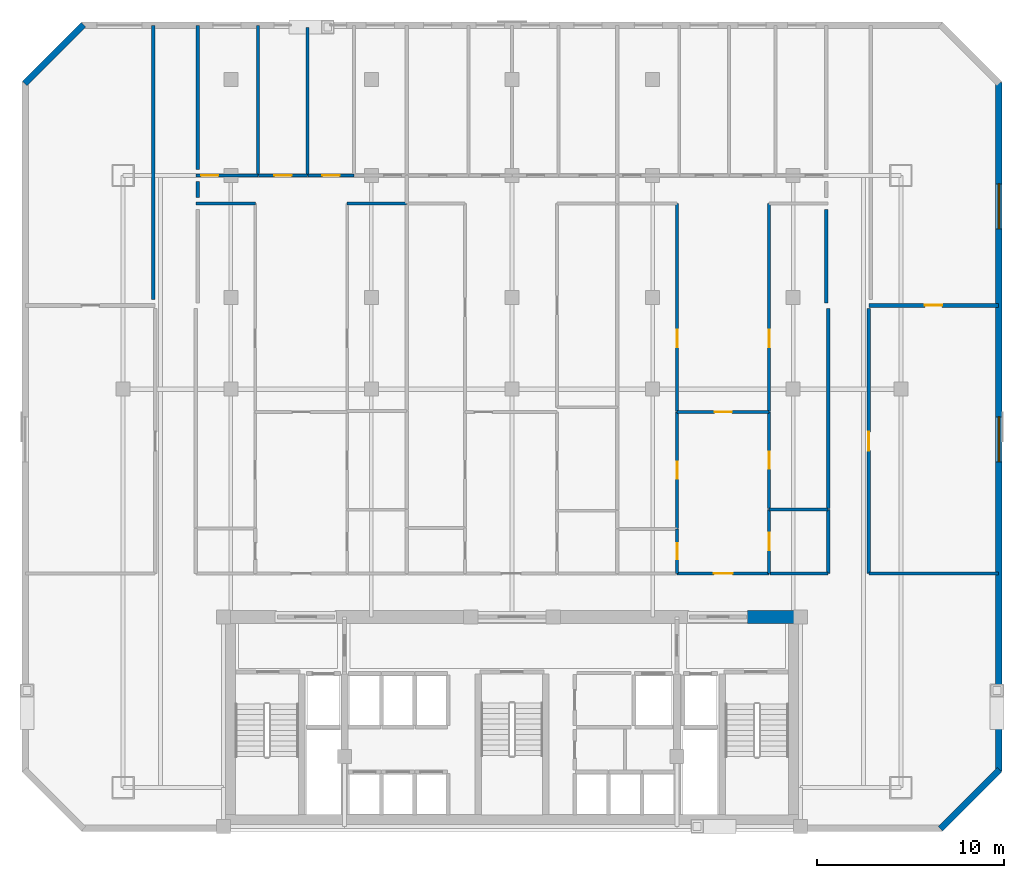
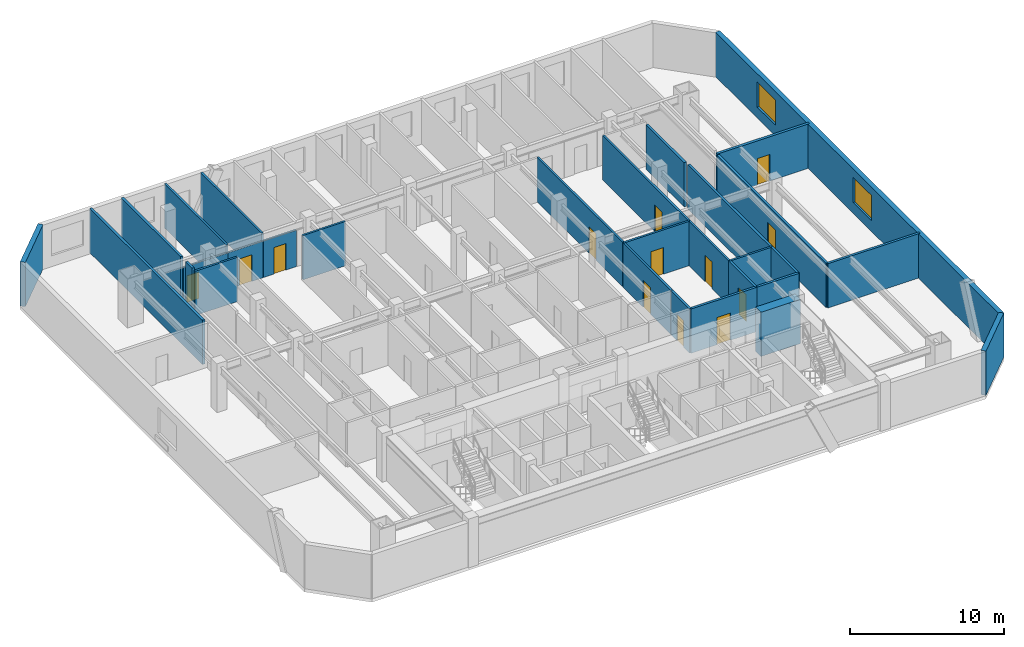
# One storey, part 5 of 8: 30 walls, 13 doors, 2 windows, 15 openings.
"""IFC4 building model written with IfcOpenShell, lengths in metres."""

from ifc_helpers import new_model, si_unit, direction, frame, frame_2d, origin, place, context, subcontext, project, spatial, rectangle, extrude, material, layer, layer_set, type_object, element, fill, save


model = new_model("IFC4")

# Units and contexts
model_context = context("Model", 3, precision=1e-05, world=origin(), true_north=direction((0.0, 1.0)))
body_context = subcontext(model_context, "Body", "Model", "MODEL_VIEW")
ifc_project = project(units=[si_unit("LENGTHUNIT", "METRE"), si_unit("AREAUNIT", "SQUARE_METRE"), si_unit("VOLUMEUNIT", "CUBIC_METRE"), si_unit("PLANEANGLEUNIT", "RADIAN"), si_unit("MASSUNIT", "GRAM", prefix="KILO")], contexts=[model_context])

# Site, building, storey
site_placement = place(None, origin())
site = spatial("IfcSite", under=ifc_project, at=site_placement, CompositionType="ELEMENT")
building_placement = place(site_placement, origin())
building = spatial("IfcBuilding", under=site, at=building_placement, Name="Ventersveld Concourse Tower", CompositionType="ELEMENT")
storey_placement = place(building_placement, frame((0.0, 0.0, 131.10009765625)))
storey = spatial("IfcBuildingStorey", under=building, at=storey_placement, Name="L32", CompositionType="ELEMENT", Elevation=131.10009765625)

# Wall
ifc_material_1 = material(Name="Concrete C60/75", Category="concrete")
ifc_layer_1 = layer(ifc_material_1, 0.699951171875)
ifc_layer_set_1 = layer_set([ifc_layer_1], Name="Concrete C60/75")
wall_type_1 = type_object("IfcWallType", Name="WL-CORE-700", PredefinedType="SHEAR", material=ifc_layer_set_1)
wall_1_placement = place(storey_placement, frame((41.300048828125, 11.449951171875, 0.0), z_axis=(0.0, 0.0, 1.0), x_axis=(1.0, 0.0, 0.0)))
element("IfcWall", 1, at=wall_1_placement, inside=storey, type_object=wall_type_1, Name="L32 Rear Core North Shear Wall NE", PredefinedType="SHEAR", context=body_context, shape_type="SweptSolid", body=[
    extrude(rectangle(XDim=2.949951171875, YDim=0.699951171875, at=frame_2d((1.47509765625, 0.0))), origin(), (0.0, 0.0, 1.0), 3.5),
])

# Wall, opening, door
ifc_material_2 = material(Name="Fire-rated autoclaved aerated masonry blockwork", Category="masonry")
ifc_layer_2 = layer(ifc_material_2, 0.179931640625)
ifc_layer_set_2 = layer_set([ifc_layer_2], Name="Fire-rated autoclaved aerated masonry blockwork")
wall_type_2 = type_object("IfcWallType", Name="WL-CORR-180", PredefinedType="PARTITIONING", material=ifc_layer_set_2)
wall_2_placement = place(storey_placement, frame((47.7900390625, 13.764892578125, 0.0), z_axis=(0.0, 0.0, 1.0), x_axis=(0.0, 1.0, 0.0)))
wall_2 = element("IfcWall", 2, at=wall_2_placement, inside=storey, type_object=wall_type_2, Name="L32 Interior Partition SP-L32-COR-SP-L32-NELNG1", PredefinedType="PARTITIONING", context=body_context, shape_type="SweptSolid", body=[
    extrude(rectangle(XDim=14.130126953125, YDim=0.179931640625, at=frame_2d((7.06494140625, 0.0))), origin(), (0.0, 0.0, 1.0), 3.5),
])
opening_1_placement = place(wall_2_placement, frame((6.56494140625, 0.0, 0.0)))
opening_1 = element("IfcOpeningElement", 3, at=opening_1_placement, cuts=wall_2, Name="Opening FD3", PredefinedType="OPENING", context=body_context, shape_type="SweptSolid", body=[
    extrude(rectangle(XDim=1.0, YDim=2.14990234375, at=frame_2d((0.5, 1.074951171875))), frame((0.0, 0.10009765625, 0.0), z_axis=(0.0, -1.0, 0.0), x_axis=(1.0, 0.0, 0.0)), (0.0, 0.0, 1.0), 0.199951171875),
])
ifc_material_3 = material(Name="Solid-core hardwood veneer timber", Category="wood")
door_type_1 = type_object("IfcDoorType", Name="DR-FLAT-100", OperationType="NOTDEFINED", PredefinedType="DOOR", material=ifc_material_3)
door_1_placement = place(opening_1_placement, origin())
door_1 = element("IfcDoor", 4, at=door_1_placement, inside=storey, type_object=door_type_1, Name="L32 Interior Door SP-L32-COR to SP-L32-NELNG1 (D-L32-1595)", OperationType="SINGLE_SWING_LEFT", OverallHeight=2.14990234375, OverallWidth=1.0, PredefinedType="DOOR", context=body_context, shape_type="SweptSolid", body=[
    extrude(rectangle(XDim=1.0, YDim=2.14990234375, at=frame_2d((0.5, 1.074951171875))), frame((0.0, 0.02490234375, 0.0), z_axis=(0.0, -1.0, 0.0), x_axis=(1.0, 0.0, 0.0)), (0.0, 0.0, 1.0), 0.050048828125),
])
fill(opening_1, door_1)

# Wall
wall_3_placement = place(storey_placement, frame((47.784912109375, 13.77001953125, 0.0), z_axis=(0.0, 0.0, 1.0), x_axis=(1.0, 0.0, 0.0)))
element("IfcWall", 5, at=wall_3_placement, inside=storey, type_object=wall_type_2, Name="L32 Interior Partition SP-L32-COR-SP-L32-NELNG1", PredefinedType="PARTITIONING", context=body_context, shape_type="SweptSolid", body=[
    extrude(rectangle(XDim=6.905029296875, YDim=0.179931640625, at=frame_2d((3.45263671875, 0.0))), origin(), (0.0, 0.0, 1.0), 3.5),
])

# Wall, opening, door
wall_4_placement = place(storey_placement, frame((37.55419921875, 13.77001953125, 0.0), z_axis=(0.0, 0.0, 1.0), x_axis=(1.0, 0.0, 0.0)))
wall_4 = element("IfcWall", 6, at=wall_4_placement, inside=storey, type_object=wall_type_2, Name="L32 Interior Partition SP-L32-COR-SP-L32-32N3-FOY", PredefinedType="PARTITIONING", context=body_context, shape_type="SweptSolid", body=[
    extrude(rectangle(XDim=4.91748046875, YDim=0.179931640625, at=frame_2d((2.458740234375, 0.0))), origin(), (0.0, 0.0, 1.0), 3.5),
])
opening_2_placement = place(wall_4_placement, frame((1.958740234375, 0.0, 0.0)))
opening_2 = element("IfcOpeningElement", 7, at=opening_2_placement, cuts=wall_4, Name="Opening FD3", PredefinedType="OPENING", context=body_context, shape_type="SweptSolid", body=[
    extrude(rectangle(XDim=1.0, YDim=2.14990234375, at=frame_2d((0.5, 1.074951171875))), frame((0.0, 0.10009765625, 0.0), z_axis=(0.0, -1.0, 0.0), x_axis=(1.0, 0.0, 0.0)), (0.0, 0.0, 1.0), 0.199951171875),
])
door_2_placement = place(opening_2_placement, origin())
door_2 = element("IfcDoor", 8, at=door_2_placement, inside=storey, type_object=door_type_1, Name="L32 Interior Door SP-L32-COR to SP-L32-32N3-FOY (FD-L32-1598)", OperationType="SINGLE_SWING_RIGHT", OverallHeight=2.14990234375, OverallWidth=1.0, PredefinedType="DOOR", context=body_context, shape_type="SweptSolid", body=[
    extrude(rectangle(XDim=1.0, YDim=2.14990234375, at=frame_2d((0.5, 1.074951171875))), frame((0.0, 0.02490234375, 0.0), z_axis=(0.0, -1.0, 0.0), x_axis=(1.0, 0.0, 0.0)), (0.0, 0.0, 1.0), 0.050048828125),
])
fill(opening_2, door_2)

# Walls
wall_5_placement = place(storey_placement, frame((45.610107421875, 13.764892578125, 0.0), z_axis=(0.0, 0.0, 1.0), x_axis=(0.0, 1.0, 0.0)))
element("IfcWall", 9, at=wall_5_placement, inside=storey, type_object=wall_type_2, Name="L32 Interior Partition SP-L32-COR-SP-L32-32N3-KIT", PredefinedType="PARTITIONING", context=body_context, shape_type="SweptSolid", body=[
    extrude(rectangle(XDim=3.4296875, YDim=0.179931640625, at=frame_2d((1.71484375, 0.0))), origin(), (0.0, 0.0, 1.0), 3.5),
])
wall_6_placement = place(storey_placement, frame((42.501708984375, 13.77001953125, 0.0), z_axis=(0.0, 0.0, 1.0), x_axis=(1.0, 0.0, 0.0)))
element("IfcWall", 10, at=wall_6_placement, inside=storey, type_object=wall_type_2, Name="L32 Interior Partition SP-L32-COR-SP-L32-32N3-KIT", PredefinedType="PARTITIONING", context=body_context, shape_type="SweptSolid", body=[
    extrude(rectangle(XDim=3.11328125, YDim=0.179931640625, at=frame_2d((1.556640625, 0.0))), origin(), (0.0, 0.0, 1.0), 3.5),
])
wall_7_placement = place(storey_placement, frame((45.610107421875, 17.224609375, 0.0), z_axis=(0.0, 0.0, 1.0), x_axis=(0.0, 1.0, 0.0)))
element("IfcWall", 11, at=wall_7_placement, inside=storey, type_object=wall_type_2, Name="L32 Interior Partition SP-L32-COR-SP-L32-32N3-DENR", PredefinedType="PARTITIONING", context=body_context, shape_type="SweptSolid", body=[
    extrude(rectangle(XDim=10.67041015625, YDim=0.179931640625, at=frame_2d((5.335205078125, 0.0))), origin(), (0.0, 0.0, 1.0), 3.5),
])
wall_8_placement = place(storey_placement, frame((9.6201171875, 42.989990234375, 0.0), z_axis=(0.0, 0.0, 1.0), x_axis=(0.0, -1.0, 0.0)))
element("IfcWall", 12, at=wall_8_placement, inside=storey, type_object=wall_type_2, Name="L32 Room Enclosure Wall SP-L32-NWLNG2", PredefinedType="PARTITIONING", context=body_context, shape_type="SweptSolid", body=[
    extrude(rectangle(XDim=14.594970703125, YDim=0.179931640625, at=frame_2d((7.29736328125, 0.0))), origin(), (0.0, 0.0, 1.0), 3.5),
])
wall_9_placement = place(storey_placement, frame((11.97998046875, 33.824951171875, 0.0), z_axis=(0.0, 0.0, 1.0), x_axis=(0.0, 1.0, 0.0)))
element("IfcWall", 13, at=wall_9_placement, inside=storey, type_object=wall_type_2, Name="L32 Room Enclosure Wall SP-L32-32N1-LIV", PredefinedType="PARTITIONING", context=body_context, shape_type="SweptSolid", body=[
    extrude(rectangle(XDim=0.85009765625, YDim=0.179931640625, at=frame_2d((0.425048828125, 0.0))), origin(), (0.0, 0.0, 1.0), 3.5),
])
wall_10_placement = place(storey_placement, frame((11.97998046875, 35.324951171875, 0.0), z_axis=(0.0, 0.0, 1.0), x_axis=(0.0, 1.0, 0.0)))
element("IfcWall", 14, at=wall_10_placement, inside=storey, type_object=wall_type_2, Name="L32 Room Enclosure Wall SP-L32-32N1-BR1", PredefinedType="PARTITIONING", context=body_context, shape_type="SweptSolid", body=[
    extrude(rectangle(XDim=7.6650390625, YDim=0.179931640625, at=frame_2d((3.83251953125, 0.0))), origin(), (0.0, 0.0, 1.0), 3.5),
])
wall_11_placement = place(storey_placement, frame((45.52001953125, 33.175048828125, 0.0), z_axis=(0.0, 0.0, 1.0), x_axis=(0.0, -1.0, 0.0)))
element("IfcWall", 15, at=wall_11_placement, inside=storey, type_object=wall_type_2, Name="L32 Room Enclosure Wall SP-L32-32N3-DENR", PredefinedType="PARTITIONING", context=body_context, shape_type="SweptSolid", body=[
    extrude(rectangle(XDim=4.965087890625, YDim=0.179931640625, at=frame_2d((2.482421875, 0.0))), origin(), (0.0, 0.0, 1.0), 3.5),
])

# Wall, opening, door
ifc_layer_3 = layer(ifc_material_2, 0.199951171875)
ifc_layer_set_3 = layer_set([ifc_layer_3], Name="Fire-rated autoclaved aerated masonry blockwork")
wall_type_3 = type_object("IfcWallType", Name="WL-DEMISE-200", PredefinedType="PARTITIONING", material=ifc_layer_set_3)
wall_12_placement = place(storey_placement, frame((47.784912109375, 28.070068359375, 0.0), z_axis=(0.0, 0.0, 1.0), x_axis=(1.0, 0.0, 0.0)))
wall_12 = element("IfcWall", 16, at=wall_12_placement, inside=storey, type_object=wall_type_3, Name="L32 Interior Partition SP-L32-NELNG1-SP-L32-NELNG2", PredefinedType="PARTITIONING", context=body_context, shape_type="SweptSolid", body=[
    extrude(rectangle(XDim=6.905029296875, YDim=0.199951171875, at=frame_2d((3.45263671875, 0.0))), origin(), (0.0, 0.0, 1.0), 3.5),
])
opening_3_placement = place(wall_12_placement, frame((2.992431640625, 0.0, 0.0)))
opening_3 = element("IfcOpeningElement", 17, at=opening_3_placement, cuts=wall_12, Name="Opening ID1", PredefinedType="OPENING", context=body_context, shape_type="SweptSolid", body=[
    extrude(rectangle(XDim=0.919921875, YDim=2.10009765625, at=frame_2d((0.4599609375, 1.050048828125))), frame((0.0, 0.10986328125, 0.0), z_axis=(0.0, -1.0, 0.0), x_axis=(1.0, 0.0, 0.0)), (0.0, 0.0, 1.0), 0.219970703125),
])
door_type_2 = type_object("IfcDoorType", Name="DR-ROOM-092", OperationType="NOTDEFINED", PredefinedType="DOOR", material=ifc_material_3)
door_3_placement = place(opening_3_placement, origin())
door_3 = element("IfcDoor", 18, at=door_3_placement, inside=storey, type_object=door_type_2, Name="L32 Interior Door SP-L32-NELNG1 to SP-L32-NELNG2 (D-L32-1600)", OperationType="SINGLE_SWING_RIGHT", OverallHeight=2.10009765625, OverallWidth=0.919921875, PredefinedType="DOOR", context=body_context, shape_type="SweptSolid", body=[
    extrude(rectangle(XDim=0.919921875, YDim=2.10009765625, at=frame_2d((0.4599609375, 1.050048828125))), frame((0.0, 0.02490234375, 0.0), z_axis=(0.0, -1.0, 0.0), x_axis=(1.0, 0.0, 0.0)), (0.0, 0.0, 1.0), 0.050048828125),
])
fill(opening_3, door_3)

# Walls
ifc_material_4 = material(Name="Autoclaved aerated masonry blockwork", Category="masonry")
ifc_layer_4 = layer(ifc_material_4, 0.14990234375)
ifc_layer_set_4 = layer_set([ifc_layer_4], Name="Autoclaved aerated masonry blockwork")
wall_type_4 = type_object("IfcWallType", Name="WL-INT-150", PredefinedType="PARTITIONING", material=ifc_layer_set_4)
for number, where, z_axis, x_axis, name in (
    (19, (11.885009765625, 33.5, 0.0), (0.0, 0.0, 1.0), (1.0, 0.0, 0.0), "L32 Interior Partition SP-L32-32N1-LIV-SP-L32-32N1-OFFL0"),
    (20, (19.958740234375, 33.5, 0.0), (0.0, 0.0, 1.0), (1.0, 0.0, 0.0), "L32 Interior Partition SP-L32-32N1-LIV-SP-L32-32N1-DENS"),
):
    element("IfcWall", number, at=place(storey_placement, frame(where, z_axis=z_axis, x_axis=x_axis)), inside=storey, type_object=wall_type_4, Name=name, PredefinedType="PARTITIONING", context=body_context, shape_type="SweptSolid", body=[
        extrude(rectangle(XDim=3.17626953125, YDim=0.14990234375, at=frame_2d((1.588134765625, 0.0))), origin(), (0.0, 0.0, 1.0), 3.5),
    ])

# Wall, opening, door
wall_13_placement = place(storey_placement, frame((11.885009765625, 35.0, 0.0), z_axis=(0.0, 0.0, 1.0), x_axis=(1.0, 0.0, 0.0)))
wall_13 = element("IfcWall", 21, at=wall_13_placement, inside=storey, type_object=wall_type_4, Name="L32 Interior Partition SP-L32-32N1-LIV-SP-L32-32N1-BR1", PredefinedType="PARTITIONING", context=body_context, shape_type="SweptSolid", body=[
    extrude(rectangle(XDim=3.31298828125, YDim=0.14990234375, at=frame_2d((1.656494140625, 0.0))), origin(), (0.0, 0.0, 1.0), 2.8828125),
])
opening_4_placement = place(wall_13_placement, frame((0.280029296875, 0.0, 0.0)))
opening_4 = element("IfcOpeningElement", 22, at=opening_4_placement, cuts=wall_13, Name="Opening ID1", PredefinedType="OPENING", context=body_context, shape_type="SweptSolid", body=[
    extrude(rectangle(XDim=0.919921875, YDim=2.10009765625, at=frame_2d((0.4599609375, 1.050048828125))), frame((0.0, 0.0849609375, 0.0), z_axis=(0.0, -1.0, 0.0), x_axis=(1.0, 0.0, 0.0)), (0.0, 0.0, 1.0), 0.169921875),
])
door_4_placement = place(opening_4_placement, origin())
door_4 = element("IfcDoor", 23, at=door_4_placement, inside=storey, type_object=door_type_2, Name="L32 Interior Door SP-L32-32N1-LIV to SP-L32-32N1-BR1 (D-L32-1608)", OperationType="SINGLE_SWING_RIGHT", OverallHeight=2.10009765625, OverallWidth=0.919921875, PredefinedType="DOOR", context=body_context, shape_type="SweptSolid", body=[
    extrude(rectangle(XDim=0.919921875, YDim=2.10009765625, at=frame_2d((0.4599609375, 1.050048828125))), frame((0.0, 0.02490234375, 0.0), z_axis=(0.0, -1.0, 0.0), x_axis=(1.0, 0.0, 0.0)), (0.0, 0.0, 1.0), 0.050048828125),
])
fill(opening_4, door_4)

wall_14_placement = place(storey_placement, frame((15.22802734375, 35.0, 0.0), z_axis=(0.0, 0.0, 1.0), x_axis=(1.0, 0.0, 0.0)))
wall_14 = element("IfcWall", 24, at=wall_14_placement, inside=storey, type_object=wall_type_4, Name="L32 Interior Partition SP-L32-32N1-LIV-SP-L32-32N1-BR2", PredefinedType="PARTITIONING", context=body_context, shape_type="SweptSolid", body=[
    extrude(rectangle(XDim=2.61572265625, YDim=0.14990234375, at=frame_2d((1.307861328125, 0.0))), origin(), (0.0, 0.0, 1.0), 2.8828125),
])
opening_5_placement = place(wall_14_placement, frame((0.847900390625, 0.0, 0.0)))
opening_5 = element("IfcOpeningElement", 25, at=opening_5_placement, cuts=wall_14, Name="Opening ID1", PredefinedType="OPENING", context=body_context, shape_type="SweptSolid", body=[
    extrude(rectangle(XDim=0.919921875, YDim=2.10009765625, at=frame_2d((0.4599609375, 1.050048828125))), frame((0.0, 0.0849609375, 0.0), z_axis=(0.0, -1.0, 0.0), x_axis=(1.0, 0.0, 0.0)), (0.0, 0.0, 1.0), 0.169921875),
])
door_5_placement = place(opening_5_placement, origin())
door_5 = element("IfcDoor", 26, at=door_5_placement, inside=storey, type_object=door_type_2, Name="L32 Interior Door SP-L32-32N1-LIV to SP-L32-32N1-BR2 (D-L32-1609)", OperationType="SINGLE_SWING_LEFT", OverallHeight=2.10009765625, OverallWidth=0.919921875, PredefinedType="DOOR", context=body_context, shape_type="SweptSolid", body=[
    extrude(rectangle(XDim=0.919921875, YDim=2.10009765625, at=frame_2d((0.4599609375, 1.050048828125))), frame((0.0, 0.02490234375, 0.0), z_axis=(0.0, -1.0, 0.0), x_axis=(1.0, 0.0, 0.0)), (0.0, 0.0, 1.0), 0.050048828125),
])
fill(opening_5, door_5)

wall_15_placement = place(storey_placement, frame((17.873779296875, 35.0, 0.0), z_axis=(0.0, 0.0, 1.0), x_axis=(1.0, 0.0, 0.0)))
wall_15 = element("IfcWall", 27, at=wall_15_placement, inside=storey, type_object=wall_type_4, Name="L32 Interior Partition SP-L32-32N1-LIV-SP-L32-32N1-BR3", PredefinedType="PARTITIONING", context=body_context, shape_type="SweptSolid", body=[
    extrude(rectangle(XDim=2.451171875, YDim=0.14990234375, at=frame_2d((1.2255859375, 0.0))), origin(), (0.0, 0.0, 1.0), 2.8828125),
])
opening_6_placement = place(wall_15_placement, frame((0.765625, 0.0, 0.0)))
opening_6 = element("IfcOpeningElement", 28, at=opening_6_placement, cuts=wall_15, Name="Opening ID1", PredefinedType="OPENING", context=body_context, shape_type="SweptSolid", body=[
    extrude(rectangle(XDim=0.919921875, YDim=2.10009765625, at=frame_2d((0.4599609375, 1.050048828125))), frame((0.0, 0.0849609375, 0.0), z_axis=(0.0, -1.0, 0.0), x_axis=(1.0, 0.0, 0.0)), (0.0, 0.0, 1.0), 0.169921875),
])
door_6_placement = place(opening_6_placement, origin())
door_6 = element("IfcDoor", 29, at=door_6_placement, inside=storey, type_object=door_type_2, Name="L32 Interior Door SP-L32-32N1-LIV to SP-L32-32N1-BR3 (D-L32-1610)", OperationType="SINGLE_SWING_RIGHT", OverallHeight=2.10009765625, OverallWidth=0.919921875, PredefinedType="DOOR", context=body_context, shape_type="SweptSolid", body=[
    extrude(rectangle(XDim=0.919921875, YDim=2.10009765625, at=frame_2d((0.4599609375, 1.050048828125))), frame((0.0, 0.02490234375, 0.0), z_axis=(0.0, -1.0, 0.0), x_axis=(1.0, 0.0, 0.0)), (0.0, 0.0, 1.0), 0.050048828125),
])
fill(opening_6, door_6)

# Walls
wall_16_placement = place(storey_placement, frame((15.193115234375, 34.9951171875, 0.0), z_axis=(0.0, 0.0, 1.0), x_axis=(0.0, 1.0, 0.0)))
element("IfcWall", 30, at=wall_16_placement, inside=storey, type_object=wall_type_4, Name="L32 Interior Partition SP-L32-32N1-BR1-SP-L32-32N1-BR2", PredefinedType="PARTITIONING", context=body_context, shape_type="SweptSolid", body=[
    extrude(rectangle(XDim=7.994873046875, YDim=0.14990234375, at=frame_2d((3.99755859375, 0.0))), origin(), (0.0, 0.0, 1.0), 3.5),
])
wall_17_placement = place(storey_placement, frame((17.838623046875, 34.9951171875, 0.0), z_axis=(0.0, 0.0, 1.0), x_axis=(0.0, 1.0, 0.0)))
element("IfcWall", 31, at=wall_17_placement, inside=storey, type_object=wall_type_4, Name="L32 Interior Partition SP-L32-32N1-BR2-SP-L32-32N1-BR3", PredefinedType="PARTITIONING", context=body_context, shape_type="SweptSolid", body=[
    extrude(rectangle(XDim=7.906982421875, YDim=0.14990234375, at=frame_2d((3.95361328125, 0.0))), origin(), (0.0, 0.0, 1.0), 3.5),
])

# Wall, opening, door
wall_18_placement = place(storey_placement, frame((37.55419921875, 22.384521484375, 0.0), z_axis=(0.0, 0.0, 1.0), x_axis=(1.0, 0.0, 0.0)))
wall_18 = element("IfcWall", 32, at=wall_18_placement, inside=storey, type_object=wall_type_4, Name="L32 Interior Partition SP-L32-32N3-FOY-SP-L32-32N3-LIV", PredefinedType="PARTITIONING", context=body_context, shape_type="SweptSolid", body=[
    extrude(rectangle(XDim=4.91748046875, YDim=0.14990234375, at=frame_2d((2.458740234375, 0.0))), origin(), (0.0, 0.0, 1.0), 3.5),
])
opening_7_placement = place(wall_18_placement, frame((1.998779296875, 0.0, 0.0)))
opening_7 = element("IfcOpeningElement", 33, at=opening_7_placement, cuts=wall_18, Name="Opening ID1", PredefinedType="OPENING", context=body_context, shape_type="SweptSolid", body=[
    extrude(rectangle(XDim=0.919921875, YDim=2.10009765625, at=frame_2d((0.4599609375, 1.050048828125))), frame((0.0, 0.0849609375, 0.0), z_axis=(0.0, -1.0, 0.0), x_axis=(1.0, 0.0, 0.0)), (0.0, 0.0, 1.0), 0.169921875),
])
door_7_placement = place(opening_7_placement, origin())
door_7 = element("IfcDoor", 34, at=door_7_placement, inside=storey, type_object=door_type_2, Name="L32 Interior Door SP-L32-32N3-FOY to SP-L32-32N3-LIV (D-L32-1623)", OperationType="SINGLE_SWING_LEFT", OverallHeight=2.10009765625, OverallWidth=0.919921875, PredefinedType="DOOR", context=body_context, shape_type="SweptSolid", body=[
    extrude(rectangle(XDim=0.919921875, YDim=2.10009765625, at=frame_2d((0.4599609375, 1.050048828125))), frame((0.0, 0.02490234375, 0.0), z_axis=(0.0, -1.0, 0.0), x_axis=(1.0, 0.0, 0.0)), (0.0, 0.0, 1.0), 0.050048828125),
])
fill(opening_7, door_7)

wall_19_placement = place(storey_placement, frame((37.55908203125, 16.17822265625, 0.0), z_axis=(0.0, 0.0, 1.0), x_axis=(0.0, 1.0, 0.0)))
wall_19 = element("IfcWall", 35, at=wall_19_placement, inside=storey, type_object=wall_type_4, Name="L32 Interior Partition SP-L32-32N3-FOY-SP-L32-32N3-OFFL0", PredefinedType="PARTITIONING", context=body_context, shape_type="SweptSolid", body=[
    extrude(rectangle(XDim=6.211181640625, YDim=0.14990234375, at=frame_2d((3.10546875, 0.0))), origin(), (0.0, 0.0, 1.0), 3.5),
])
opening_8_placement = place(wall_19_placement, frame((2.6455078125, 0.0, 0.0)))
opening_8 = element("IfcOpeningElement", 36, at=opening_8_placement, cuts=wall_19, Name="Opening ID1", PredefinedType="OPENING", context=body_context, shape_type="SweptSolid", body=[
    extrude(rectangle(XDim=0.919921875, YDim=2.10009765625, at=frame_2d((0.4599609375, 1.050048828125))), frame((0.0, 0.0849609375, 0.0), z_axis=(0.0, -1.0, 0.0), x_axis=(1.0, 0.0, 0.0)), (0.0, 0.0, 1.0), 0.169921875),
])
door_8_placement = place(opening_8_placement, origin())
door_8 = element("IfcDoor", 37, at=door_8_placement, inside=storey, type_object=door_type_2, Name="L32 Interior Door SP-L32-32N3-FOY to SP-L32-32N3-OFFL0 (D-L32-1625)", OperationType="SINGLE_SWING_LEFT", OverallHeight=2.10009765625, OverallWidth=0.919921875, PredefinedType="DOOR", context=body_context, shape_type="SweptSolid", body=[
    extrude(rectangle(XDim=0.919921875, YDim=2.10009765625, at=frame_2d((0.4599609375, 1.050048828125))), frame((0.0, 0.02490234375, 0.0), z_axis=(0.0, -1.0, 0.0), x_axis=(1.0, 0.0, 0.0)), (0.0, 0.0, 1.0), 0.050048828125),
])
fill(opening_8, door_8)

wall_20_placement = place(storey_placement, frame((42.466796875, 13.764892578125, 0.0), z_axis=(0.0, 0.0, 1.0), x_axis=(0.0, 1.0, 0.0)))
wall_20 = element("IfcWall", 38, at=wall_20_placement, inside=storey, type_object=wall_type_4, Name="L32 Interior Partition SP-L32-32N3-FOY-SP-L32-32N3-KIT", PredefinedType="PARTITIONING", context=body_context, shape_type="SweptSolid", body=[
    extrude(rectangle(XDim=3.4296875, YDim=0.14990234375, at=frame_2d((1.71484375, 0.0))), origin(), (0.0, 0.0, 1.0), 3.5),
])
opening_9_placement = place(wall_20_placement, frame((1.2548828125, 0.0, 0.0)))
opening_9 = element("IfcOpeningElement", 39, at=opening_9_placement, cuts=wall_20, Name="Opening ID1", PredefinedType="OPENING", context=body_context, shape_type="SweptSolid", body=[
    extrude(rectangle(XDim=0.919921875, YDim=2.10009765625, at=frame_2d((0.4599609375, 1.050048828125))), frame((0.0, 0.0849609375, 0.0), z_axis=(0.0, -1.0, 0.0), x_axis=(1.0, 0.0, 0.0)), (0.0, 0.0, 1.0), 0.169921875),
])
door_9_placement = place(opening_9_placement, origin())
door_9 = element("IfcDoor", 40, at=door_9_placement, inside=storey, type_object=door_type_2, Name="L32 Interior Door SP-L32-32N3-FOY to SP-L32-32N3-KIT (D-L32-1626)", OperationType="SINGLE_SWING_RIGHT", OverallHeight=2.10009765625, OverallWidth=0.919921875, PredefinedType="DOOR", context=body_context, shape_type="SweptSolid", body=[
    extrude(rectangle(XDim=0.919921875, YDim=2.10009765625, at=frame_2d((0.4599609375, 1.050048828125))), frame((0.0, 0.02490234375, 0.0), z_axis=(0.0, -1.0, 0.0), x_axis=(1.0, 0.0, 0.0)), (0.0, 0.0, 1.0), 0.050048828125),
])
fill(opening_9, door_9)

wall_21_placement = place(storey_placement, frame((42.466796875, 17.224609375, 0.0), z_axis=(0.0, 0.0, 1.0), x_axis=(0.0, 1.0, 0.0)))
wall_21 = element("IfcWall", 41, at=wall_21_placement, inside=storey, type_object=wall_type_4, Name="L32 Interior Partition SP-L32-32N3-FOY-SP-L32-32N3-DENR", PredefinedType="PARTITIONING", context=body_context, shape_type="SweptSolid", body=[
    extrude(rectangle(XDim=5.164794921875, YDim=0.14990234375, at=frame_2d((2.58251953125, 0.0))), origin(), (0.0, 0.0, 1.0), 3.5),
])
opening_10_placement = place(wall_21_placement, frame((2.122314453125, 0.0, 0.0)))
opening_10 = element("IfcOpeningElement", 42, at=opening_10_placement, cuts=wall_21, Name="Opening ID1", PredefinedType="OPENING", context=body_context, shape_type="SweptSolid", body=[
    extrude(rectangle(XDim=0.919921875, YDim=2.10009765625, at=frame_2d((0.4599609375, 1.050048828125))), frame((0.0, 0.0849609375, 0.0), z_axis=(0.0, -1.0, 0.0), x_axis=(1.0, 0.0, 0.0)), (0.0, 0.0, 1.0), 0.169921875),
])
door_10_placement = place(opening_10_placement, origin())
door_10 = element("IfcDoor", 43, at=door_10_placement, inside=storey, type_object=door_type_2, Name="L32 Interior Door SP-L32-32N3-FOY to SP-L32-32N3-DENR (D-L32-1627)", OperationType="SINGLE_SWING_LEFT", OverallHeight=2.10009765625, OverallWidth=0.919921875, PredefinedType="DOOR", context=body_context, shape_type="SweptSolid", body=[
    extrude(rectangle(XDim=0.919921875, YDim=2.10009765625, at=frame_2d((0.4599609375, 1.050048828125))), frame((0.0, 0.02490234375, 0.0), z_axis=(0.0, -1.0, 0.0), x_axis=(1.0, 0.0, 0.0)), (0.0, 0.0, 1.0), 0.050048828125),
])
fill(opening_10, door_10)

wall_22_placement = place(storey_placement, frame((37.55908203125, 22.41943359375, 0.0), z_axis=(0.0, 0.0, 1.0), x_axis=(0.0, 1.0, 0.0)))
wall_22 = element("IfcWall", 44, at=wall_22_placement, inside=storey, type_object=wall_type_4, Name="L32 Interior Partition SP-L32-32N3-LIV-SP-L32-32N3-OFFL0", PredefinedType="PARTITIONING", context=body_context, shape_type="SweptSolid", body=[
    extrude(rectangle(XDim=11.08544921875, YDim=0.14990234375, at=frame_2d((5.542724609375, 0.0))), origin(), (0.0, 0.0, 1.0), 3.5),
])
opening_11_placement = place(wall_22_placement, frame((3.419921875, 0.0, 0.0)))
opening_11 = element("IfcOpeningElement", 45, at=opening_11_placement, cuts=wall_22, Name="Opening ID1", PredefinedType="OPENING", context=body_context, shape_type="SweptSolid", body=[
    extrude(rectangle(XDim=0.919921875, YDim=2.10009765625, at=frame_2d((0.4599609375, 1.050048828125))), frame((0.0, 0.0849609375, 0.0), z_axis=(0.0, -1.0, 0.0), x_axis=(1.0, 0.0, 0.0)), (0.0, 0.0, 1.0), 0.169921875),
])
door_11_placement = place(opening_11_placement, origin())
door_11 = element("IfcDoor", 46, at=door_11_placement, inside=storey, type_object=door_type_2, Name="L32 Interior Door SP-L32-32N3-LIV to SP-L32-32N3-OFFL0 (D-L32-1628)", OperationType="SINGLE_SWING_RIGHT", OverallHeight=2.10009765625, OverallWidth=0.919921875, PredefinedType="DOOR", context=body_context, shape_type="SweptSolid", body=[
    extrude(rectangle(XDim=0.919921875, YDim=2.10009765625, at=frame_2d((0.4599609375, 1.050048828125))), frame((0.0, 0.02490234375, 0.0), z_axis=(0.0, -1.0, 0.0), x_axis=(1.0, 0.0, 0.0)), (0.0, 0.0, 1.0), 0.050048828125),
])
fill(opening_11, door_11)

wall_23_placement = place(storey_placement, frame((42.466796875, 22.41943359375, 0.0), z_axis=(0.0, 0.0, 1.0), x_axis=(0.0, 1.0, 0.0)))
wall_23 = element("IfcWall", 47, at=wall_23_placement, inside=storey, type_object=wall_type_4, Name="L32 Interior Partition SP-L32-32N3-LIV-SP-L32-32N3-DENR", PredefinedType="PARTITIONING", context=body_context, shape_type="SweptSolid", body=[
    extrude(rectangle(XDim=11.08544921875, YDim=0.14990234375, at=frame_2d((5.542724609375, 0.0))), origin(), (0.0, 0.0, 1.0), 3.5),
])
opening_12_placement = place(wall_23_placement, frame((3.419921875, 0.0, 0.0)))
opening_12 = element("IfcOpeningElement", 48, at=opening_12_placement, cuts=wall_23, Name="Opening ID1", PredefinedType="OPENING", context=body_context, shape_type="SweptSolid", body=[
    extrude(rectangle(XDim=0.919921875, YDim=2.10009765625, at=frame_2d((0.4599609375, 1.050048828125))), frame((0.0, 0.0849609375, 0.0), z_axis=(0.0, -1.0, 0.0), x_axis=(1.0, 0.0, 0.0)), (0.0, 0.0, 1.0), 0.169921875),
])
door_12_placement = place(opening_12_placement, origin())
door_12 = element("IfcDoor", 49, at=door_12_placement, inside=storey, type_object=door_type_2, Name="L32 Interior Door SP-L32-32N3-LIV to SP-L32-32N3-DENR (D-L32-1629)", OperationType="SINGLE_SWING_LEFT", OverallHeight=2.10009765625, OverallWidth=0.919921875, PredefinedType="DOOR", context=body_context, shape_type="SweptSolid", body=[
    extrude(rectangle(XDim=0.919921875, YDim=2.10009765625, at=frame_2d((0.4599609375, 1.050048828125))), frame((0.0, 0.02490234375, 0.0), z_axis=(0.0, -1.0, 0.0), x_axis=(1.0, 0.0, 0.0)), (0.0, 0.0, 1.0), 0.050048828125),
])
fill(opening_12, door_12)

# Walls
wall_24_placement = place(storey_placement, frame((42.4619140625, 17.189697265625, 0.0), z_axis=(0.0, 0.0, 1.0), x_axis=(1.0, 0.0, 0.0)))
element("IfcWall", 50, at=wall_24_placement, inside=storey, type_object=wall_type_4, Name="L32 Interior Partition SP-L32-32N3-KIT-SP-L32-32N3-DENR", PredefinedType="PARTITIONING", context=body_context, shape_type="SweptSolid", body=[
    extrude(rectangle(XDim=3.153076171875, YDim=0.14990234375, at=frame_2d((1.57666015625, 0.0))), origin(), (0.0, 0.0, 1.0), 3.5),
])
ifc_material_5 = material(Name="Precast concrete C45/55", Category="concrete")
ifc_layer_5 = layer(ifc_material_5, 0.35009765625)
ifc_layer_set_5 = layer_set([ifc_layer_5], Name="Precast concrete C45/55")
wall_type_5 = type_object("IfcWallType", Name="WL-PREC-350", PredefinedType="SOLIDWALL", material=ifc_layer_set_5)
wall_25_placement = place(storey_placement, frame((51.6044921875, 0.152099609375, 0.0), z_axis=(0.0, 0.0, 1.0), x_axis=(0.707134240044, 0.707079321262, 0.0)))
element("IfcWall", 51, at=wall_25_placement, inside=storey, type_object=wall_type_5, Name="L32 Highveld Precast Facade Wall E02", PredefinedType="SOLIDWALL", context=body_context, shape_type="SweptSolid", body=[
    extrude(rectangle(XDim=4.445556640625, YDim=0.35009765625, at=frame_2d((2.22265625, 0.0))), origin(), (0.0, 0.0, 1.0), 3.5),
])

# Wall, openings, windows
wall_26_placement = place(storey_placement, frame((54.72509765625, 3.239990234375, 0.0), z_axis=(0.0, 0.0, 1.0), x_axis=(0.0, 1.0, 0.0)))
wall_26 = element("IfcWall", 52, at=wall_26_placement, inside=storey, type_object=wall_type_5, Name="L32 Highveld Precast Facade Wall E03", PredefinedType="SOLIDWALL", context=body_context, shape_type="SweptSolid", body=[
    extrude(rectangle(XDim=36.719970703125, YDim=0.35009765625, at=frame_2d((18.35986328125, 0.0))), origin(), (0.0, 0.0, 1.0), 3.5),
])
opening_13_placement = place(wall_26_placement, frame((16.47998046875, 0.0, 0.85009765625)))
opening_13 = element("IfcOpeningElement", 53, at=opening_13_placement, cuts=wall_26, Name="Opening W5", PredefinedType="OPENING", context=body_context, shape_type="SweptSolid", body=[
    extrude(rectangle(XDim=2.39990234375, YDim=2.0, at=frame_2d((1.199951171875, 1.0))), frame((0.0, 0.18505859375, 0.0), z_axis=(0.0, -1.0, 0.0), x_axis=(1.0, 0.0, 0.0)), (0.0, 0.0, 1.0), 0.3701171875),
])
opening_14_placement = place(wall_26_placement, frame((28.907470703125, 0.0, 0.85009765625)))
opening_14 = element("IfcOpeningElement", 54, at=opening_14_placement, cuts=wall_26, Name="Opening W5", PredefinedType="OPENING", context=body_context, shape_type="SweptSolid", body=[
    extrude(rectangle(XDim=2.39990234375, YDim=2.0, at=frame_2d((1.199951171875, 1.0))), frame((0.0, 0.18505859375, 0.0), z_axis=(0.0, -1.0, 0.0), x_axis=(1.0, 0.0, 0.0)), (0.0, 0.0, 1.0), 0.3701171875),
])
ifc_material_6 = material(Name="Tempered acoustic Low-E IGU", Category="glass")
window_type = type_object("IfcWindowType", Name="WIN-240x210", PartitioningType="SINGLE_PANEL", PredefinedType="WINDOW", material=ifc_material_6)
window_1_placement = place(opening_13_placement, origin())
window_1 = element("IfcWindow", 55, at=window_1_placement, inside=storey, type_object=window_type, Name="L32 Punched Low-E Window W-0415", OverallHeight=2.0, OverallWidth=2.39990234375, PartitioningType="SINGLE_PANEL", PredefinedType="WINDOW", context=body_context, shape_type="SweptSolid", body=[
    extrude(rectangle(XDim=2.39990234375, YDim=2.0, at=frame_2d((1.199951171875, 1.0))), frame((0.0, 0.030029296875, 0.0), z_axis=(0.0, -1.0, 0.0), x_axis=(1.0, 0.0, 0.0)), (0.0, 0.0, 1.0), 0.06005859375),
])
fill(opening_13, window_1)
window_2_placement = place(opening_14_placement, origin())
window_2 = element("IfcWindow", 56, at=window_2_placement, inside=storey, type_object=window_type, Name="L32 Punched Low-E Window W-0416", OverallHeight=2.0, OverallWidth=2.39990234375, PartitioningType="SINGLE_PANEL", PredefinedType="WINDOW", context=body_context, shape_type="SweptSolid", body=[
    extrude(rectangle(XDim=2.39990234375, YDim=2.0, at=frame_2d((1.199951171875, 1.0))), frame((0.0, 0.030029296875, 0.0), z_axis=(0.0, -1.0, 0.0), x_axis=(1.0, 0.0, 0.0)), (0.0, 0.0, 1.0), 0.06005859375),
])
fill(opening_14, window_2)

# Wall
wall_27_placement = place(storey_placement, frame((5.8955078125, 43.048095703125, 0.0), z_axis=(0.0, 0.0, 1.0), x_axis=(-0.707106781187, -0.707106781187, 0.0)))
element("IfcWall", 57, at=wall_27_placement, inside=storey, type_object=wall_type_5, Name="L32 Highveld Precast Facade Wall E06", PredefinedType="SOLIDWALL", context=body_context, shape_type="SweptSolid", body=[
    extrude(rectangle(XDim=4.445556640625, YDim=0.35009765625, at=frame_2d((2.22265625, 0.0))), origin(), (0.0, 0.0, 1.0), 3.5),
])

# Wall, opening, door
ifc_layer_6 = layer(ifc_material_4, 0.1650390625)
ifc_layer_set_6 = layer_set([ifc_layer_6], Name="Autoclaved aerated masonry blockwork")
wall_type_6 = type_object("IfcWallType", Name="WL-WET-165", PredefinedType="PLUMBINGWALL", material=ifc_layer_set_6)
wall_28_placement = place(storey_placement, frame((37.55908203125, 13.764892578125, 0.0), z_axis=(0.0, 0.0, 1.0), x_axis=(0.0, 1.0, 0.0)))
wall_28 = element("IfcWall", 58, at=wall_28_placement, inside=storey, type_object=wall_type_6, Name="L32 Interior Partition SP-L32-32N3-FOY-SP-L32-32N3-BATH", PredefinedType="PLUMBINGWALL", context=body_context, shape_type="SweptSolid", body=[
    extrude(rectangle(XDim=2.38330078125, YDim=0.1650390625, at=frame_2d((1.191650390625, 0.0))), origin(), (0.0, 0.0, 1.0), 3.5),
])
opening_15_placement = place(wall_28_placement, frame((0.7666015625, 0.0, 0.0)))
opening_15 = element("IfcOpeningElement", 59, at=opening_15_placement, cuts=wall_28, Name="Opening ID2", PredefinedType="OPENING", context=body_context, shape_type="SweptSolid", body=[
    extrude(rectangle(XDim=0.85009765625, YDim=2.10009765625, at=frame_2d((0.425048828125, 1.050048828125))), frame((0.0, 0.092529296875, 0.0), z_axis=(0.0, -1.0, 0.0), x_axis=(1.0, 0.0, 0.0)), (0.0, 0.0, 1.0), 0.18505859375),
])
door_type_3 = type_object("IfcDoorType", Name="DR-BATH-085", OperationType="NOTDEFINED", PredefinedType="DOOR", material=ifc_material_3)
door_13_placement = place(opening_15_placement, origin())
door_13 = element("IfcDoor", 60, at=door_13_placement, inside=storey, type_object=door_type_3, Name="L32 Interior Door SP-L32-32N3-FOY to SP-L32-32N3-BATH (D-L32-1624)", OperationType="SINGLE_SWING_RIGHT", OverallHeight=2.10009765625, OverallWidth=0.85009765625, PredefinedType="DOOR", context=body_context, shape_type="SweptSolid", body=[
    extrude(rectangle(XDim=0.85009765625, YDim=2.10009765625, at=frame_2d((0.425048828125, 1.050048828125))), frame((0.0, 0.02490234375, 0.0), z_axis=(0.0, -1.0, 0.0), x_axis=(1.0, 0.0, 0.0)), (0.0, 0.0, 1.0), 0.050048828125),
])
fill(opening_15, door_13)

save(model, "model.ifc")
